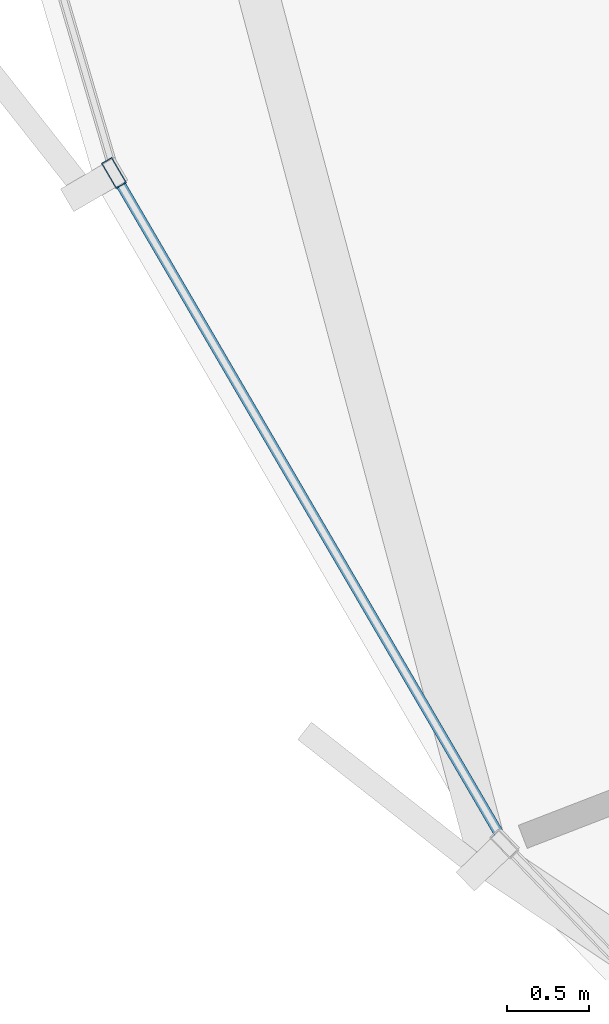
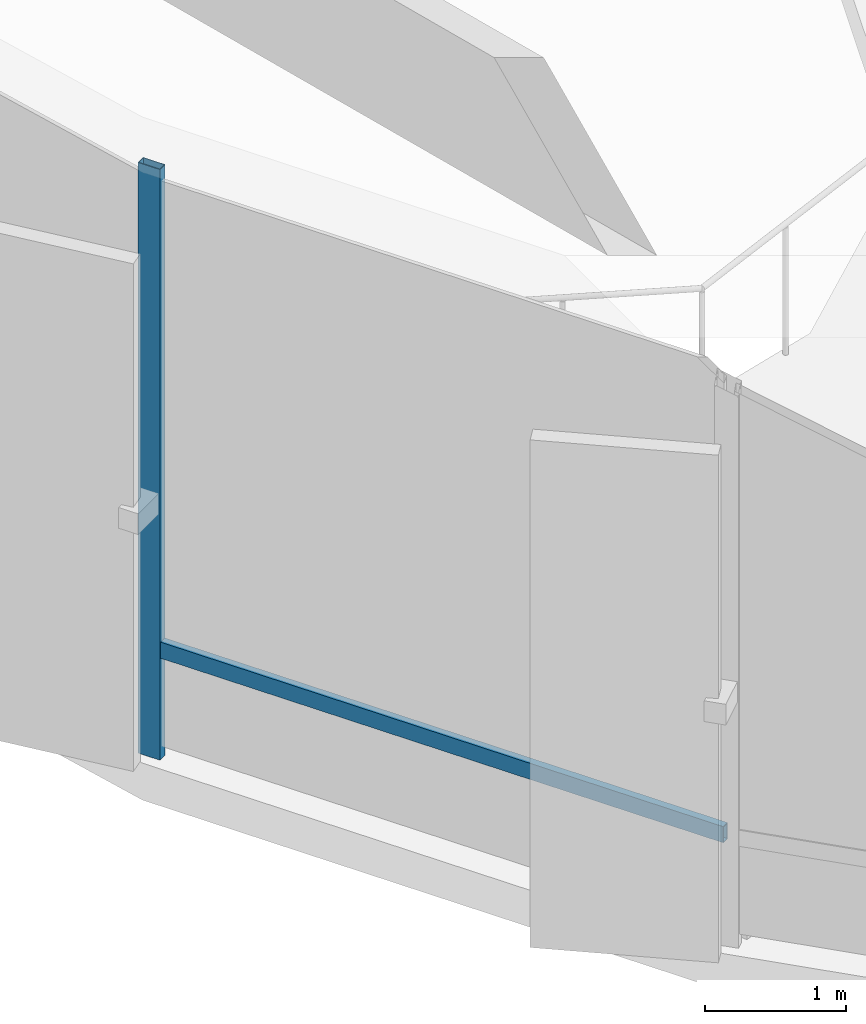
# One storey, part 3 of 36: 2 members, 1 element without a shape of its own.
"""IFC4 building model written with IfcOpenShell, lengths in metres."""

from ifc_helpers import new_model, si_unit, direction, frame, origin, origin_2d, place, context, subcontext, project, spatial, hollow_rectangle, extrude, source, transform, mapped, material, layer, layer_set, material_profile, profile_set, type_object, element, aggregate, save


model = new_model("IFC4")

# Units and contexts
model_context = context("Model", 3, precision=1e-05, world=origin(), true_north=direction((0.0, 1.0)))
body_context = subcontext(model_context, "Body", "Model", "MODEL_VIEW")
ifc_project = project(units=[si_unit("LENGTHUNIT", "METRE"), si_unit("AREAUNIT", "SQUARE_METRE"), si_unit("VOLUMEUNIT", "CUBIC_METRE"), si_unit("PLANEANGLEUNIT", "RADIAN"), si_unit("MASSUNIT", "GRAM", prefix="KILO"), si_unit("THERMODYNAMICTEMPERATUREUNIT", "KELVIN")], contexts=[model_context])

# Site, building, storey
site_placement = place(None, origin())
site = spatial("IfcSite", under=ifc_project, at=site_placement, CompositionType="ELEMENT")
building_placement = place(site_placement, origin())
building = spatial("IfcBuilding", under=site, at=building_placement, Name="Kethvar Cultural Tower", CompositionType="ELEMENT")
storey_placement = place(building_placement, frame((0.0, 0.0, 24.0)))
storey = spatial("IfcBuildingStorey", under=building, at=storey_placement, Name="L05", CompositionType="ELEMENT", Elevation=24.0)

# Curtain wall, members
ifc_material = material(Name="Aluminium 6063-T6", Category="aluminium")
ifc_layer = layer(ifc_material, 0.179931640625, Name="Aluminium 6063-T6", Category="aluminium")
ifc_layer_set = layer_set([ifc_layer], Name="Aluminium 6063-T6 (180 mm)")
curtain_wall_type = type_object("IfcCurtainWallType", Name="CW-SYS-01-POD", PredefinedType="NOTDEFINED", material=ifc_layer_set)
curtain_wall_placement = place(storey_placement, origin())
curtain_wall = element("IfcCurtainWall", 1, at=curtain_wall_placement, inside=storey, type_object=curtain_wall_type, Name="L05 Curtain Wall Run 04", PredefinedType="NOTDEFINED")
ifc_material_profile_1 = material_profile(ifc_material, hollow_rectangle(XDim=0.06005859375, YDim=0.139892578125, WallThickness=0.0048828125, at=origin_2d()), Name="Aluminium 6063-T6 — RHS140x60x5")
ifc_profile_set_1 = profile_set([ifc_material_profile_1], Name="Aluminium 6063-T6 — RHS140x60x5")
member_type_1 = type_object("IfcMemberType", Name="CW-SYS-01-POD-TRN", PredefinedType="USERDEFINED", material=ifc_profile_set_1)
shared_shape_1 = source(origin(), body_context, "Body", "SweptSolid", [
    extrude(hollow_rectangle(XDim=0.06005859375, YDim=0.139892578125, WallThickness=0.0048828125, at=origin_2d()), origin(), (0.0, 0.0, 1.0), 4.639892578125),
])
member_1_placement = place(storey_placement, frame((2.864501953125, 15.72705078125, 0.949951171875), z_axis=(0.503504560489, -0.863992568004, 0.0), x_axis=(0.863992568004, 0.503504560489, 0.0)))
member_1 = element("IfcMember", 2, at=member_1_placement, type_object=member_type_1, Name="CW-L05-R04 Transom 3", ObjectType="TRANSOM", PredefinedType="USERDEFINED", context=body_context, shape_type="MappedRepresentation", body=[
    mapped(shared_shape_1, transform((0.0, 0.0, 0.0), scale=1.0)),
])
ifc_material_profile_2 = material_profile(ifc_material, hollow_rectangle(XDim=0.074951171875, YDim=0.179931640625, WallThickness=0.006103515625, at=origin_2d()), Name="Aluminium 6063-T6 — RHS180x75x6")
ifc_profile_set_2 = profile_set([ifc_material_profile_2], Name="Aluminium 6063-T6 — RHS180x75x6")
member_type_2 = type_object("IfcMemberType", Name="CW-SYS-01-POD-MUL", PredefinedType="MULLION", material=ifc_profile_set_2)
shared_shape_2 = source(origin(), body_context, "Body", "SweptSolid", [
    extrude(hollow_rectangle(XDim=0.074951171875, YDim=0.179931640625, WallThickness=0.006103515625, at=origin_2d()), origin(), (0.0, 0.0, 1.0), 5.1201171875),
])
member_2_placement = place(storey_placement, frame((2.837158203125, 15.773681640625, 0.0), z_axis=(0.0, 0.0, 1.0), x_axis=(0.863984939927, 0.503517649721, 0.0)))
member_2 = element("IfcMember", 3, at=member_2_placement, type_object=member_type_2, Name="CW-L05-R04 Mullion 3", PredefinedType="MULLION", context=body_context, shape_type="MappedRepresentation", body=[
    mapped(shared_shape_2, transform((0.0, 0.0, 0.0), scale=1.0)),
])
aggregate(curtain_wall, [member_2, member_1])

save(model, "model.ifc")
